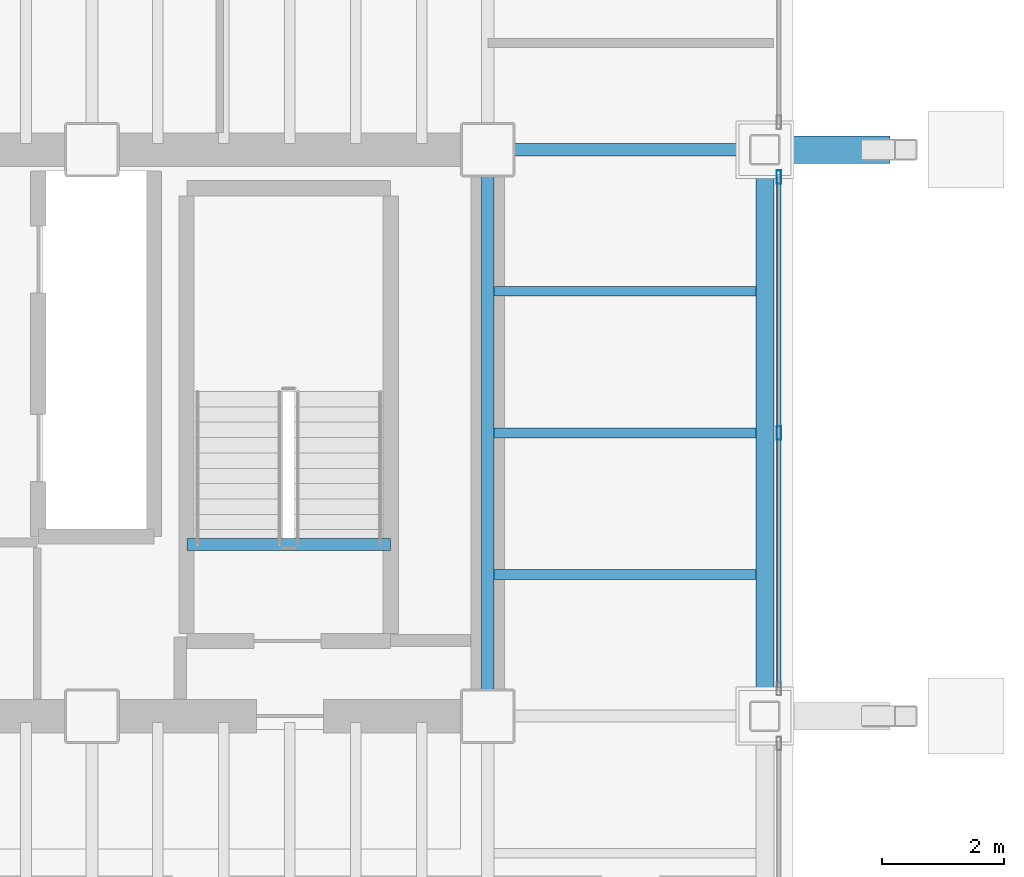
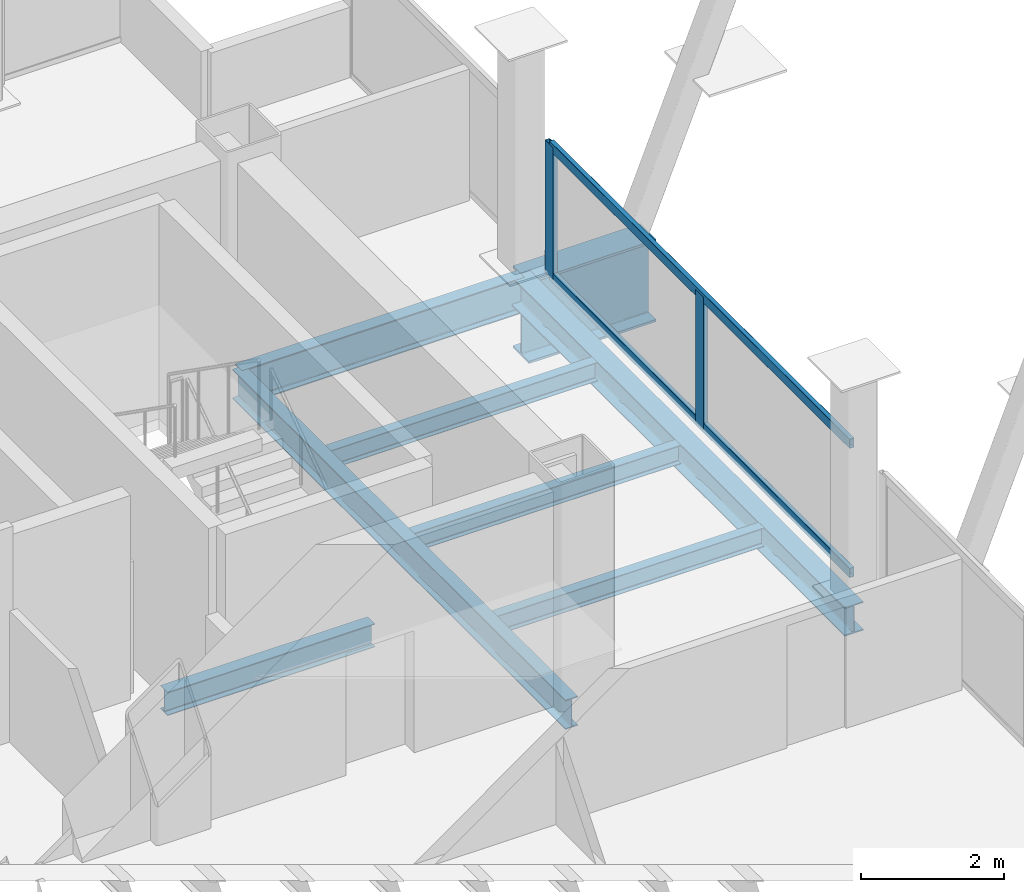
# One storey, part 13 of 19: 8 beams, 4 members, 1 element without a shape of its own.
"""IFC4 building model written with IfcOpenShell, lengths in metres."""

from ifc_helpers import new_model, si_unit, direction, frame, origin, origin_2d, place, context, subcontext, project, spatial, hollow_rectangle, i_section, extrude, material, material_profile, profile_set, type_object, element, aggregate, save


model = new_model("IFC4")

# Units and contexts
model_context = context("Model", 3, precision=1e-05, world=origin(), true_north=direction((0.0, 1.0)))
body_context = subcontext(model_context, "Body", "Model", "MODEL_VIEW")
ifc_project = project(units=[si_unit("LENGTHUNIT", "METRE"), si_unit("AREAUNIT", "SQUARE_METRE"), si_unit("VOLUMEUNIT", "CUBIC_METRE"), si_unit("PLANEANGLEUNIT", "RADIAN"), si_unit("MASSUNIT", "GRAM", prefix="KILO")], contexts=[model_context])

# Site, building, storey
site_placement = place(None, origin())
site = spatial("IfcSite", under=ifc_project, at=site_placement, CompositionType="ELEMENT")
building_placement = place(site_placement, origin())
building = spatial("IfcBuilding", under=site, at=building_placement, Name="Noeulbin Bourse Tower", CompositionType="ELEMENT")
storey_placement = place(building_placement, frame((0.0, 0.0, 165.60009765625)))
storey = spatial("IfcBuildingStorey", under=building, at=storey_placement, Name="L41", CompositionType="ELEMENT", Elevation=165.60009765625)

# Beams
ifc_material_1 = material(Name="Steel S355", Category="steel")
ifc_material_profile_1 = material_profile(ifc_material_1, i_section(OverallWidth=0.199951171875, OverallDepth=0.5, WebThickness=0.010009765625, FlangeThickness=0.01611328125, FilletRadius=0.02001953125, at=origin_2d()), Name="H-500x200x10x16", Category="LoadBearing")
ifc_profile_set_1 = profile_set([ifc_material_profile_1], Name="Steel S355")
beam_type_1 = type_object("IfcBeamType", Name="BM-GRD-500", PredefinedType="USERDEFINED", material=ifc_profile_set_1)
beam_1_placement = place(storey_placement, frame((44.0, 29.0, -0.43017578125), z_axis=(0.0, 1.0, 0.0), x_axis=(-1.0, 0.0, 0.0)))
element("IfcBeam", 1, at=beam_1_placement, inside=storey, type_object=beam_type_1, Name="Tower Primary Girder NS L41-5.3", ObjectType="GIRDER", PredefinedType="USERDEFINED", context=body_context, shape_type="SweptSolid", body=[
    extrude(i_section(OverallWidth=0.199951171875, OverallDepth=0.5, WebThickness=0.010009765625, FlangeThickness=0.01611328125, FilletRadius=0.02001953125, at=origin_2d()), origin(), (0.0, 0.0, 1.0), 9.300048828125),
])
ifc_material_profile_2 = material_profile(ifc_material_1, i_section(OverallWidth=0.199951171875, OverallDepth=0.60009765625, WebThickness=0.010986328125, FlangeThickness=0.01708984375, FilletRadius=0.02197265625, at=origin_2d()), Name="H-600x200x11x17", Category="LoadBearing")
ifc_profile_set_2 = profile_set([ifc_material_profile_2], Name="Steel S355")
beam_type_2 = type_object("IfcBeamType", Name="BM-GRD-600", PredefinedType="USERDEFINED", material=ifc_profile_set_2)
beam_2_placement = place(storey_placement, frame((44.0, 38.300048828125, -0.47998046875), z_axis=(1.0, 0.0, 0.0), x_axis=(0.0, 1.0, 0.0)))
element("IfcBeam", 2, at=beam_2_placement, inside=storey, type_object=beam_type_2, Name="Tower Primary Girder EW L41-3.5", ObjectType="GIRDER", PredefinedType="USERDEFINED", context=body_context, shape_type="SweptSolid", body=[
    extrude(i_section(OverallWidth=0.199951171875, OverallDepth=0.60009765625, WebThickness=0.010986328125, FlangeThickness=0.01708984375, FilletRadius=0.02197265625, at=origin_2d()), origin(), (0.0, 0.0, 1.0), 4.550048828125),
])
ifc_material_profile_3 = material_profile(ifc_material_1, i_section(OverallWidth=0.159912109375, OverallDepth=0.320068359375, WebThickness=0.006591796875, FlangeThickness=0.010009765625, FilletRadius=0.012939453125, at=origin_2d()), Name="H-320x160x6.5x10", Category="LoadBearing")
ifc_profile_set_3 = profile_set([ifc_material_profile_3], Name="Steel S355")
beam_type_3 = type_object("IfcBeamType", Name="BM-JST-320", PredefinedType="JOIST", material=ifc_profile_set_3)
for number, where, z_axis, x_axis, name in (
    (3, (44.10009765625, 31.324951171875, -0.340087890625), (1.0, 0.0, 0.0), (0.0, 1.0, 0.0), "Wing Composite Joist L41-E76"),
    (4, (44.10009765625, 33.64990234375, -0.340087890625), (1.0, 0.0, 0.0), (0.0, 1.0, 0.0), "Wing Composite Joist L41-E77"),
    (5, (44.10009765625, 35.97509765625, -0.340087890625), (1.0, 0.0, 0.0), (0.0, 1.0, 0.0), "Wing Composite Joist L41-E78"),
):
    element("IfcBeam", number, at=place(storey_placement, frame(where, z_axis=z_axis, x_axis=x_axis)), inside=storey, type_object=beam_type_3, Name=name, PredefinedType="JOIST", context=body_context, shape_type="SweptSolid", body=[
        extrude(i_section(OverallWidth=0.159912109375, OverallDepth=0.320068359375, WebThickness=0.006591796875, FlangeThickness=0.010009765625, FilletRadius=0.012939453125, at=origin_2d()), origin(), (0.0, 0.0, 1.0), 4.2998046875),
    ])
ifc_material_profile_4 = material_profile(ifc_material_1, i_section(OverallWidth=0.199951171875, OverallDepth=0.39990234375, WebThickness=0.008056640625, FlangeThickness=0.012939453125, FilletRadius=0.01611328125, at=origin_2d()), Name="H-400x200x8x13", Category="LoadBearing")
ifc_profile_set_4 = profile_set([ifc_material_profile_4], Name="Steel S355")
beam_type_4 = type_object("IfcBeamType", Name="BM-SEC-400", PredefinedType="BEAM", material=ifc_profile_set_4)
beam_3_placement = place(storey_placement, frame((39.06005859375, 31.820068359375, -0.2001953125), z_axis=(1.0, 0.0, 0.0), x_axis=(0.0, 1.0, 0.0)))
element("IfcBeam", 6, at=beam_3_placement, inside=storey, type_object=beam_type_4, Name="Stair Threshold Trimmer Beam ST2-L41", PredefinedType="BEAM", context=body_context, shape_type="SweptSolid", body=[
    extrude(i_section(OverallWidth=0.199951171875, OverallDepth=0.39990234375, WebThickness=0.008056640625, FlangeThickness=0.012939453125, FilletRadius=0.01611328125, at=origin_2d()), origin(), (0.0, 0.0, 1.0), 3.33984375),
])
ifc_material_profile_5 = material_profile(ifc_material_1, i_section(OverallWidth=0.300048828125, OverallDepth=0.488037109375, WebThickness=0.010986328125, FlangeThickness=0.01806640625, FilletRadius=0.02197265625, at=origin_2d()), Name="H-488x300x11x18", Category="LoadBearing")
ifc_profile_set_5 = profile_set([ifc_material_profile_5], Name="Steel S355")
beam_type_5 = type_object("IfcBeamType", Name="BM-SPN-488", PredefinedType="SPANDREL", material=ifc_profile_set_5)
beam_4_placement = place(storey_placement, frame((48.550048828125, 29.0, -0.424072265625), z_axis=(0.0, 1.0, 0.0), x_axis=(-1.0, 0.0, 0.0)))
element("IfcBeam", 7, at=beam_4_placement, inside=storey, type_object=beam_type_5, Name="East Spandrel L41-2", PredefinedType="SPANDREL", context=body_context, shape_type="SweptSolid", body=[
    extrude(i_section(OverallWidth=0.300048828125, OverallDepth=0.488037109375, WebThickness=0.010986328125, FlangeThickness=0.01806640625, FilletRadius=0.02197265625, at=origin_2d()), origin(), (0.0, 0.0, 1.0), 9.300048828125),
])
ifc_material_2 = material(Name="Steel S460", Category="steel")
ifc_material_profile_6 = material_profile(ifc_material_2, i_section(OverallWidth=0.449951171875, OverallDepth=1.39990234375, WebThickness=0.02392578125, FlangeThickness=0.0400390625, FilletRadius=0.02392578125, at=origin_2d()), Name="PG-1400x450x24x40", Category="LoadBearing")
ifc_profile_set_6 = profile_set([ifc_material_profile_6], Name="Steel S460")
beam_type_6 = type_object("IfcBeamType", Name="BM-TRF-1400", PredefinedType="USERDEFINED", material=ifc_profile_set_6)
beam_5_placement = place(storey_placement, frame((48.550048828125, 38.300048828125, -0.880126953125), z_axis=(1.0, 0.0, 0.0), x_axis=(0.0, 1.0, 0.0)))
element("IfcBeam", 8, at=beam_5_placement, inside=storey, type_object=beam_type_6, Name="Transfer Outrigger Corbel L41-03", ObjectType="GIRDER", PredefinedType="USERDEFINED", context=body_context, shape_type="SweptSolid", body=[
    extrude(i_section(OverallWidth=0.449951171875, OverallDepth=1.39990234375, WebThickness=0.02392578125, FlangeThickness=0.0400390625, FilletRadius=0.02392578125, at=origin_2d()), origin(), (0.0, 0.0, 1.0), 2.050048828125),
])

# Curtain wall, members
ifc_material_3 = material(Name="Dark Tinted Triple Glazing", Category="glass")
curtain_wall_type = type_object("IfcCurtainWallType", Name="CW-SYS-3", PredefinedType="NOTDEFINED", material=ifc_material_3)
curtain_wall_placement = place(storey_placement, origin())
curtain_wall = element("IfcCurtainWall", 9, at=curtain_wall_placement, inside=storey, type_object=curtain_wall_type, Name="Unitised Curtain Wall CW-L41-E-S2", PredefinedType="NOTDEFINED")
ifc_material_4 = material(Name="Anodised Aluminium 6063-T6", Category="aluminium")
ifc_material_profile_7 = material_profile(ifc_material_4, hollow_rectangle(XDim=0.074951171875, YDim=0.219970703125, WallThickness=0.0048828125, InnerFilletRadius=0.00244140625, OuterFilletRadius=0.0048828125, at=origin_2d()), Name="ALU-MULL-75x220x5", Category="LoadBearing")
ifc_profile_set_7 = profile_set([ifc_material_profile_7], Name="Anodised Aluminium 6063-T6")
member_type_1 = type_object("IfcMemberType", Name="CW-SYS-3-MUL", PredefinedType="MULLION", material=ifc_profile_set_7)
member_1_placement = place(storey_placement, frame((48.780029296875, 33.64990234375, -0.02001953125), z_axis=(0.0, 0.0, 1.0), x_axis=(1.0, 0.0, 0.0)))
member_1 = element("IfcMember", 10, at=member_1_placement, type_object=member_type_1, Name="Curtain Wall Mullion CW-L41-E-S2-M01", PredefinedType="MULLION", context=body_context, shape_type="SweptSolid", body=[
    extrude(hollow_rectangle(XDim=0.074951171875, YDim=0.219970703125, WallThickness=0.0048828125, InnerFilletRadius=0.00244140625, OuterFilletRadius=0.0048828125, at=origin_2d()), origin(), (0.0, 0.0, 1.0), 2.260009765625),
])
member_2_placement = place(storey_placement, frame((48.780029296875, 37.85009765625, -0.02001953125), z_axis=(0.0, 0.0, 1.0), x_axis=(1.0, 0.0, 0.0)))
member_2 = element("IfcMember", 11, at=member_2_placement, type_object=member_type_1, Name="Curtain Wall Mullion CW-L41-E-S2-M02", PredefinedType="MULLION", context=body_context, shape_type="SweptSolid", body=[
    extrude(hollow_rectangle(XDim=0.074951171875, YDim=0.219970703125, WallThickness=0.0048828125, InnerFilletRadius=0.00244140625, OuterFilletRadius=0.0048828125, at=origin_2d()), origin(), (0.0, 0.0, 1.0), 2.260009765625),
])
ifc_material_profile_8 = material_profile(ifc_material_4, hollow_rectangle(XDim=0.074951171875, YDim=0.159912109375, WallThickness=0.0048828125, InnerFilletRadius=0.00244140625, OuterFilletRadius=0.0048828125, at=origin_2d()), Name="ALU-TRAN-75x160x5", Category="LoadBearing")
ifc_profile_set_8 = profile_set([ifc_material_profile_8], Name="Anodised Aluminium 6063-T6")
member_type_2 = type_object("IfcMemberType", Name="CW-SYS-3-TRN", PredefinedType="USERDEFINED", material=ifc_profile_set_8)
member_3_placement = place(storey_placement, frame((48.780029296875, 29.4599609375, 0.010009765625), z_axis=(0.0, 1.0, 0.0), x_axis=(-1.0, 0.0, 0.0)))
member_3 = element("IfcMember", 12, at=member_3_placement, type_object=member_type_2, Name="Curtain Wall Transom CW-L41-E-S2-T00", ObjectType="TRANSOM", PredefinedType="USERDEFINED", context=body_context, shape_type="SweptSolid", body=[
    extrude(hollow_rectangle(XDim=0.074951171875, YDim=0.159912109375, WallThickness=0.0048828125, InnerFilletRadius=0.00244140625, OuterFilletRadius=0.0048828125, at=origin_2d()), origin(), (0.0, 0.0, 1.0), 8.380126953125),
])
member_4_placement = place(storey_placement, frame((48.780029296875, 29.4599609375, 2.2099609375), z_axis=(0.0, 1.0, 0.0), x_axis=(-1.0, 0.0, 0.0)))
member_4 = element("IfcMember", 13, at=member_4_placement, type_object=member_type_2, Name="Curtain Wall Transom CW-L41-E-S2-T01", ObjectType="TRANSOM", PredefinedType="USERDEFINED", context=body_context, shape_type="SweptSolid", body=[
    extrude(hollow_rectangle(XDim=0.074951171875, YDim=0.159912109375, WallThickness=0.0048828125, InnerFilletRadius=0.00244140625, OuterFilletRadius=0.0048828125, at=origin_2d()), origin(), (0.0, 0.0, 1.0), 8.380126953125),
])
aggregate(curtain_wall, [member_1, member_2, member_3, member_4])

save(model, "model.ifc")
